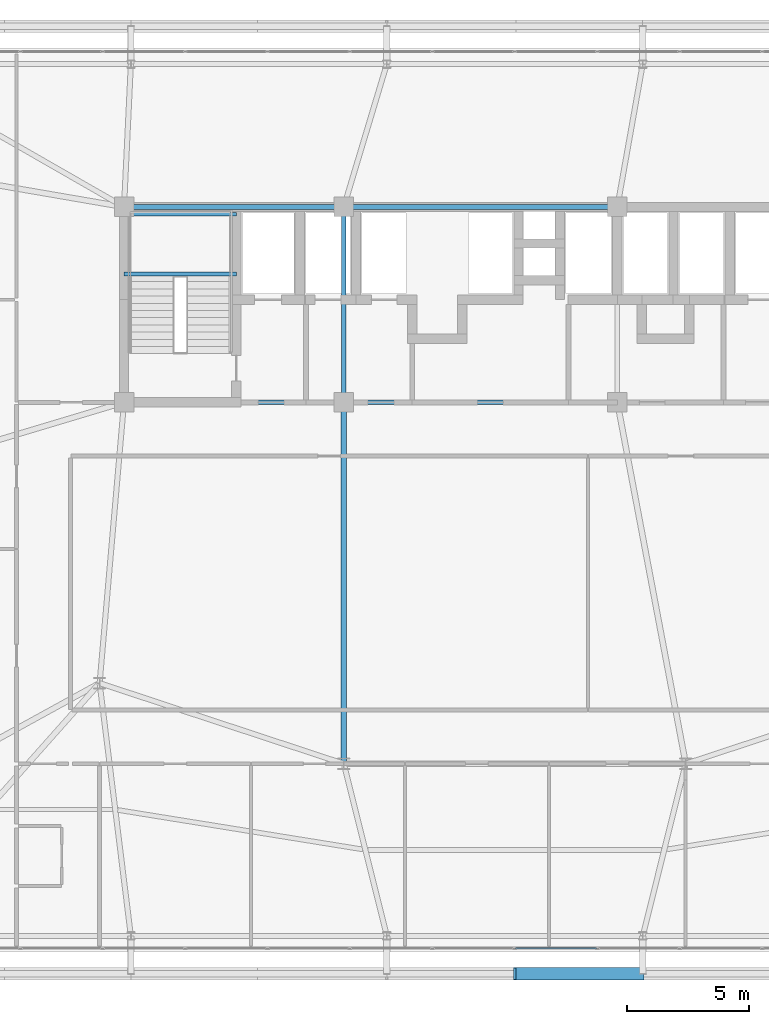
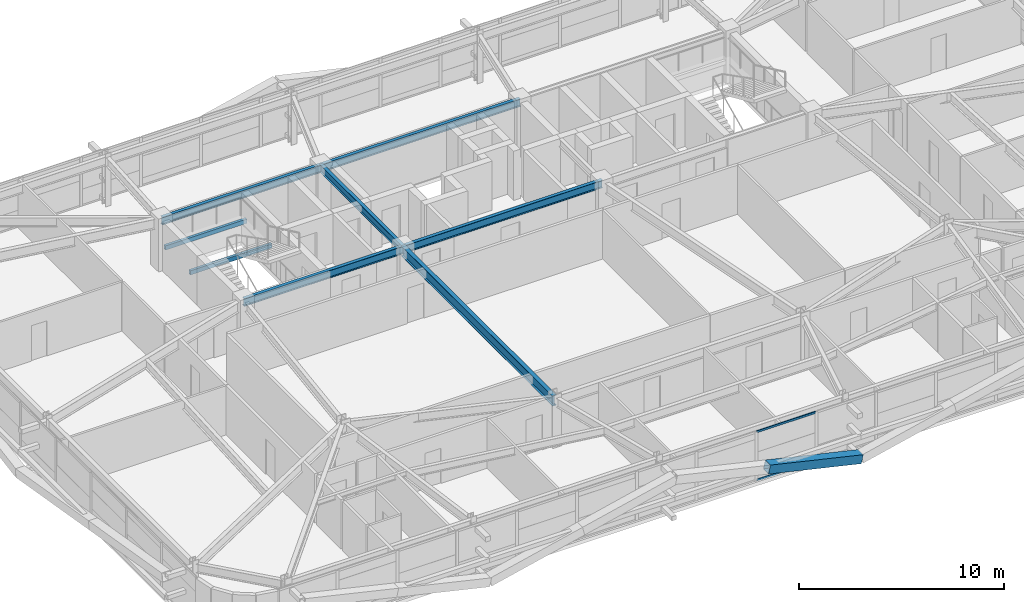
# One storey, part 19 of 58: 8 beams, 3 members, 1 element without a shape of its own.
"""IFC4 building model written with IfcOpenShell, lengths in metres."""

import ifcopenshell
import ifcopenshell.guid

model = None  # the IFC model being written
_history = None  # IfcOwnerHistory: only IFC2X3 demands one
_inside = {}  # id of a spatial element -> (the spatial element, [elements in it])
_under = {}  # id of a project, library or spatial element -> (it, [spatial elements below it])
_declared = {}  # id of a project -> (the project, [libraries it declares])
_typed = {}  # id of a type object -> (the type object, [elements of that type])
_made_of = {}  # id of a material, layer set ... -> (it, [elements and type objects made of it])


def new_model(schema):
    """Start an empty IFC model of exactly this schema.

    Asked for "IFC4X3", IfcOpenShell would pick the latest addendum, in which some entities
    have other attributes; the version numbers below select the first issue.
    IFC2X3 requires an IfcOwnerHistory on every rooted entity: one is made here for all.
    """
    global model, _history
    if schema == "IFC4X3":
        model = ifcopenshell.file(schema_version=(4, 3, 0, 0))
    else:
        model = ifcopenshell.file(schema=schema)
    _inside.clear()
    _under.clear()
    _declared.clear()
    _typed.clear()
    _made_of.clear()
    _history = None
    if model.schema == "IFC2X3":
        org = make("IfcOrganization", Name="unknown")
        user = make(
            "IfcPersonAndOrganization",
            ThePerson=make("IfcPerson", FamilyName="unknown"),
            TheOrganization=org,
        )
        app = make(
            "IfcApplication",
            ApplicationDeveloper=org,
            Version="unknown",
            ApplicationFullName="unknown",
            ApplicationIdentifier="unknown",
        )
        _history = make(
            "IfcOwnerHistory",
            OwningUser=user,
            OwningApplication=app,
            ChangeAction="ADDED",
            CreationDate=0,
        )
    return model


def make(cls, **values):
    """One entity of the class cls with the attributes given. An attribute that is None is left unset."""
    return model.create_entity(
        cls, **{name: value for name, value in values.items() if value is not None}
    )


def rooted(cls, **values):
    """An entity with a GlobalId (a new one), such as an element, a storey or a relation."""
    return make(cls, GlobalId=ifcopenshell.guid.new(), OwnerHistory=_history, **values)


def si_unit(unit_type, name, prefix=None):
    """IfcSIUnit, for example si_unit("LENGTHUNIT", "METRE", prefix="MILLI")."""
    return make("IfcSIUnit", UnitType=unit_type, Prefix=prefix, Name=name)


def assignment(units):
    """IfcUnitAssignment: the units of a project."""
    return None if units is None else make("IfcUnitAssignment", Units=units)


def point(xyz):
    """IfcCartesianPoint."""
    return None if xyz is None else make("IfcCartesianPoint", Coordinates=xyz)


def direction(xyz):
    """IfcDirection."""
    return None if xyz is None else make("IfcDirection", DirectionRatios=xyz)


def frame(location, z_axis=None, x_axis=None):
    """IfcAxis2Placement3D, a coordinate frame: its origin and axes. An axis left out is left unset."""
    return make(
        "IfcAxis2Placement3D",
        Location=point(location),
        Axis=direction(z_axis),
        RefDirection=direction(x_axis),
    )


def frame_2d(location, x_axis=None):
    """IfcAxis2Placement2D, a coordinate frame in the plane: its origin and x axis."""
    return make(
        "IfcAxis2Placement2D", Location=point(location), RefDirection=direction(x_axis)
    )


def origin():
    """The frame at (0, 0, 0) with its axes left unset."""
    return frame((0.0, 0.0, 0.0))


def origin_2d():
    """The frame at (0, 0) in the plane with its x axis left unset."""
    return frame_2d((0.0, 0.0))


def place(relative_to, where):
    """IfcLocalPlacement: puts the frame where relative to a parent placement (None: the world)."""
    return make(
        "IfcLocalPlacement", PlacementRelTo=relative_to, RelativePlacement=where
    )


def context(
    kind, dimensions, precision=None, world=None, true_north=None, identifier=None
):
    """IfcGeometricRepresentationContext, for example the 3D "Model" context."""
    return make(
        "IfcGeometricRepresentationContext",
        ContextIdentifier=identifier,
        ContextType=kind,
        CoordinateSpaceDimension=dimensions,
        Precision=precision,
        WorldCoordinateSystem=world,
        TrueNorth=true_north,
    )


def subcontext(parent, identifier, kind, view, scale=None):
    """IfcGeometricRepresentationSubContext, for example "Body" below "Model"."""
    return make(
        "IfcGeometricRepresentationSubContext",
        ContextIdentifier=identifier,
        ContextType=kind,
        ParentContext=parent,
        TargetScale=scale,
        TargetView=view,
    )


def project(units=None, contexts=None):
    """IfcProject with its units and contexts."""
    return rooted(
        "IfcProject",
        Name="project",
        RepresentationContexts=contexts,
        UnitsInContext=assignment(units),
    )


def spatial(cls, under=None, at=None, **own):
    """A site, building, storey or space (cls), placed at a placement, below another one or the project."""
    s = rooted(cls, ObjectPlacement=at, **own)
    if under is not None:
        _under.setdefault(under.id(), (under, []))[1].append(s)
    return s


def profile(cls, at=None, kind="AREA", **sizes):
    """A parametric profile (cls). Its sizes go by their IFC names, for example OverallWidth=200.0."""
    return make(cls, ProfileType=kind, Position=at, **sizes)


def hollow_rectangle(**sizes):
    """IfcRectangleHollowProfileDef."""
    return profile("IfcRectangleHollowProfileDef", **sizes)


def i_section(**sizes):
    """IfcIShapeProfileDef."""
    return profile("IfcIShapeProfileDef", **sizes)


def extrude(swept, where, along, depth):
    """IfcExtrudedAreaSolid: the profile swept, set in the frame where, extruded along a direction by depth."""
    return make(
        "IfcExtrudedAreaSolid",
        SweptArea=swept,
        Position=where,
        ExtrudedDirection=direction(along),
        Depth=depth,
    )


def shape(context_of_items, identifier, shape_type, items):
    """IfcShapeRepresentation: the items that make up one representation, for example the "Body"."""
    return make(
        "IfcShapeRepresentation",
        ContextOfItems=context_of_items,
        RepresentationIdentifier=identifier,
        RepresentationType=shape_type,
        Items=items,
    )


def source(mapping_origin, context_of_items, identifier, shape_type, items):
    """IfcRepresentationMap: a shape defined once, which mapped items show again and again."""
    return make(
        "IfcRepresentationMap",
        MappingOrigin=mapping_origin,
        MappedRepresentation=shape(context_of_items, identifier, shape_type, items),
    )


def transform(
    local_origin,
    x_axis=None,
    y_axis=None,
    z_axis=None,
    scale=None,
    scale2=None,
    scale3=None,
    uniform=True,
):
    """IfcCartesianTransformationOperator3D, or its non-uniform kind. x_axis, y_axis, z_axis: its Axis1, 2, 3."""
    if uniform:
        return make(
            "IfcCartesianTransformationOperator3D",
            Axis1=direction(x_axis),
            Axis2=direction(y_axis),
            LocalOrigin=point(local_origin),
            Scale=scale,
            Axis3=direction(z_axis),
        )
    return make(
        "IfcCartesianTransformationOperator3DnonUniform",
        Axis1=direction(x_axis),
        Axis2=direction(y_axis),
        LocalOrigin=point(local_origin),
        Scale=scale,
        Axis3=direction(z_axis),
        Scale2=scale2,
        Scale3=scale3,
    )


def mapped(mapping_source, mapping_target):
    """IfcMappedItem: shows the shape of a source again, moved by a transform."""
    return make(
        "IfcMappedItem", MappingSource=mapping_source, MappingTarget=mapping_target
    )


def material(Name=None, Category=None):
    """IfcMaterial."""
    return make("IfcMaterial", Name=Name, Category=Category)


def layer(
    of_material, thickness, ventilated=None, Name=None, Category=None, Priority=None
):
    """IfcMaterialLayer: one layer of a wall or slab, of a material (None: an air gap)."""
    return make(
        "IfcMaterialLayer",
        Material=of_material,
        LayerThickness=thickness,
        IsVentilated=ventilated,
        Name=Name,
        Category=Category,
        Priority=Priority,
    )


def layer_set(layers, Name=None):
    """IfcMaterialLayerSet."""
    return make("IfcMaterialLayerSet", MaterialLayers=layers, LayerSetName=Name)


def material_profile(
    of_material, cross_section, Name=None, Category=None, Priority=None
):
    """IfcMaterialProfile: a cross section and its material."""
    return make(
        "IfcMaterialProfile",
        Name=Name,
        Material=of_material,
        Profile=cross_section,
        Priority=Priority,
        Category=Category,
    )


def profile_set(profiles, Name=None, composite=None):
    """IfcMaterialProfileSet."""
    return make(
        "IfcMaterialProfileSet",
        Name=Name,
        MaterialProfiles=profiles,
        CompositeProfile=composite,
    )


def made_of(thing, what):
    """Note that an element or type object is made of a material, layer set ...; save() writes the relation."""
    if what is not None:
        _made_of.setdefault(what.id(), (what, []))[1].append(thing)
    return thing


def type_object(cls, material=None, **own):
    """A type object (cls), such as IfcWallType, which elements share."""
    return made_of(rooted(cls, **own), material)


def element(
    cls,
    number,
    at=None,
    inside=None,
    cuts=None,
    type_object=None,
    material=None,
    context=None,
    identifier="Body",
    shape_type=None,
    held_by="IfcProductDefinitionShape",
    body=None,
    shapes=None,
    **own,
):
    """One element of the class cls, such as IfcWall. Its Tag is "e" and its number.

    at: its placement. inside: the storey or other place that contains it. cuts: it is an
    opening in that element (IfcRelVoidsElement). A single representation is given by context,
    identifier, shape_type and body (its items); several are given by shapes. held_by: the class
    of the entity that holds the representations. save() writes the other relations.
    """
    e = rooted(cls, Tag="e%d" % number, ObjectPlacement=at, **own)
    if body is not None:
        shapes = [shape(context, identifier, shape_type, body)]
    if shapes is not None:
        e.Representation = make(held_by, Representations=shapes)
    if inside is not None:
        _inside.setdefault(inside.id(), (inside, []))[1].append(e)
    if cuts is not None:
        rooted(
            "IfcRelVoidsElement", RelatingBuildingElement=cuts, RelatedOpeningElement=e
        )
    if type_object is not None:
        _typed.setdefault(type_object.id(), (type_object, []))[1].append(e)
    return made_of(e, material)


def aggregate(whole, parts):
    """IfcRelAggregates: a whole, such as a stair, and the parts it consists of."""
    return rooted("IfcRelAggregates", RelatingObject=whole, RelatedObjects=parts)


def save(model, path):
    """Write the relations noted so far, then the file.

    IfcRelAggregates (storeys below a building ...), IfcRelContainedInSpatialStructure (elements
    in a storey), IfcRelDefinesByType, IfcRelAssociatesMaterial and IfcRelDeclares: one each for
    every whole, place, type object, material and project.
    """
    for whole, parts in _under.values():
        aggregate(whole, parts)
    for where, things in _inside.values():
        rooted(
            "IfcRelContainedInSpatialStructure",
            RelatedElements=things,
            RelatingStructure=where,
        )
    for kind, things in _typed.values():
        rooted("IfcRelDefinesByType", RelatedObjects=things, RelatingType=kind)
    for what, things in _made_of.values():
        rooted("IfcRelAssociatesMaterial", RelatedObjects=things, RelatingMaterial=what)
    for by, libraries in _declared.values():
        rooted("IfcRelDeclares", RelatingContext=by, RelatedDefinitions=libraries)
    model.write(path)


model = new_model("IFC4")

# Units and contexts
model_context = context("Model", 3, precision=1e-05, world=origin(), true_north=direction((0.0, 1.0)))
body_context = subcontext(model_context, "Body", "Model", "MODEL_VIEW")
ifc_project = project(units=[si_unit("LENGTHUNIT", "METRE"), si_unit("AREAUNIT", "SQUARE_METRE"), si_unit("VOLUMEUNIT", "CUBIC_METRE"), si_unit("PLANEANGLEUNIT", "RADIAN"), si_unit("MASSUNIT", "GRAM", prefix="KILO")], contexts=[model_context])

# Site, building, storey
site_placement = place(None, origin())
site = spatial("IfcSite", under=ifc_project, at=site_placement, CompositionType="ELEMENT")
building_placement = place(site_placement, origin())
building = spatial("IfcBuilding", under=site, at=building_placement, Name="Taldren Reach Tower", CompositionType="ELEMENT")
storey_placement = place(building_placement, frame((0.0, 0.0, 51.449951171875)))
storey = spatial("IfcBuildingStorey", under=building, at=storey_placement, Name="L15", CompositionType="ELEMENT", Elevation=51.449951171875)

# Beams
ifc_material_1 = material(Name="Steel Gr 350 (350PLUS)", Category="steel")
ifc_material_profile_1 = material_profile(ifc_material_1, i_section(OverallWidth=0.19091796875, OverallDepth=0.4599609375, WebThickness=0.010009765625, FlangeThickness=0.01611328125, at=origin_2d()), Name="460UB82.1")
ifc_profile_set_1 = profile_set([ifc_material_profile_1], Name="Steel Gr 350 (350PLUS)")
beam_type_1 = type_object("IfcBeamType", Name="BM-UB460A", PredefinedType="BEAM", material=ifc_profile_set_1)
shared_shape_1 = source(origin(), body_context, "Body", "SweptSolid", [
    extrude(i_section(OverallWidth=0.19091796875, OverallDepth=0.4599609375, WebThickness=0.010009765625, FlangeThickness=0.01611328125, at=origin_2d()), origin(), (0.0, 0.0, 1.0), 9.0),
])
for number, where, z_axis, x_axis, name in (
    (1, (19.0, 24.0, 2.699951171875), (1.0, 0.0, 0.0), (0.0, 1.0, 0.0), "Core-spine girder L15-SP01"),
    (2, (19.0, 32.0, 2.699951171875), (1.0, 0.0, 0.0), (0.0, 1.0, 0.0), "Core-spine girder L15-SP04"),
):
    element("IfcBeam", number, at=place(storey_placement, frame(where, z_axis=z_axis, x_axis=x_axis)), inside=storey, type_object=beam_type_1, Name=name, PredefinedType="BEAM", context=body_context, shape_type="MappedRepresentation", body=[
        mapped(shared_shape_1, transform((0.0, 0.0, 0.0), scale=1.0)),
    ])
shared_shape_2 = source(origin(), body_context, "Body", "SweptSolid", [
    extrude(i_section(OverallWidth=0.19091796875, OverallDepth=0.4599609375, WebThickness=0.010009765625, FlangeThickness=0.01611328125, at=origin_2d()), origin(), (0.0, 0.0, 1.0), 11.199951171875),
])
for number, where, z_axis, x_axis, name in (
    (3, (28.0, 24.0, 2.699951171875), (1.0, 0.0, 0.0), (0.0, 1.0, 0.0), "Core-spine girder L15-SP02"),
    (4, (28.0, 32.0, 2.699951171875), (1.0, 0.0, 0.0), (0.0, 1.0, 0.0), "Core-spine girder L15-SP05"),
):
    element("IfcBeam", number, at=place(storey_placement, frame(where, z_axis=z_axis, x_axis=x_axis)), inside=storey, type_object=beam_type_1, Name=name, PredefinedType="BEAM", context=body_context, shape_type="MappedRepresentation", body=[
        mapped(shared_shape_2, transform((0.0, 0.0, 0.0), scale=1.0)),
    ])
shared_shape_3 = source(origin(), body_context, "Body", "SweptSolid", [
    extrude(i_section(OverallWidth=0.19091796875, OverallDepth=0.4599609375, WebThickness=0.010009765625, FlangeThickness=0.01611328125, at=origin_2d()), origin(), (0.0, 0.0, 1.0), 8.0),
])
beam_1_placement = place(storey_placement, frame((28.0, 24.0, 2.699951171875), z_axis=(0.0, 1.0, 0.0), x_axis=(-1.0, 0.0, 0.0)))
element("IfcBeam", 5, at=beam_1_placement, inside=storey, type_object=beam_type_1, Name="Core-spine girder L15-SP07", PredefinedType="BEAM", context=body_context, shape_type="MappedRepresentation", body=[
    mapped(shared_shape_3, transform((0.0, 0.0, 0.0), scale=1.0)),
])
ifc_material_profile_2 = material_profile(ifc_material_1, i_section(OverallWidth=0.22802734375, OverallDepth=0.60205078125, WebThickness=0.010498046875, FlangeThickness=0.014892578125, at=origin_2d()), Name="610UB101")
ifc_profile_set_2 = profile_set([ifc_material_profile_2], Name="Steel Gr 350 (350PLUS)")
beam_type_2 = type_object("IfcBeamType", Name="BM-UB610B", PredefinedType="BEAM", material=ifc_profile_set_2)
shared_shape_4 = source(origin(), body_context, "Body", "SweptSolid", [
    extrude(i_section(OverallWidth=0.22802734375, OverallDepth=0.60205078125, WebThickness=0.010498046875, FlangeThickness=0.014892578125, at=origin_2d()), origin(), (0.0, 0.0, 1.0), 14.800048828125),
])
beam_2_placement = place(storey_placement, frame((28.0, 24.0, 2.629150390625), z_axis=(0.0, -1.0, 0.0), x_axis=(1.0, 0.0, 0.0)))
element("IfcBeam", 6, at=beam_2_placement, inside=storey, type_object=beam_type_2, Name="Core-spine girder L15-SP14", PredefinedType="BEAM", context=body_context, shape_type="MappedRepresentation", body=[
    mapped(shared_shape_4, transform((0.0, 0.0, 0.0), scale=1.0)),
])

# Member
ifc_material_2 = material(Name="Steel Gr 450 (C450L0)", Category="steel")
ifc_material_profile_3 = material_profile(ifc_material_2, hollow_rectangle(XDim=0.510009765625, YDim=0.510009765625, WallThickness=0.02001953125, at=origin_2d()), Name="510x510x20.0SHS")
ifc_profile_set_3 = profile_set([ifc_material_profile_3], Name="Steel Gr 450 (C450L0)")
member_type_1 = type_object("IfcMemberType", Name="MB-EXO508", PredefinedType="BRACE", material=ifc_profile_set_3)
shared_shape_5 = source(origin(), body_context, "Body", "SweptSolid", [
    extrude(hollow_rectangle(XDim=0.510009765625, YDim=0.510009765625, WallThickness=0.02001953125, at=origin_2d()), origin(), (0.0, 0.0, 1.0), 5.37890625),
])
member_1_placement = place(storey_placement, frame((40.239990234375, 0.60009765625, 0.219970703125), z_axis=(-0.97415197996, 0.0, 0.225893603143), x_axis=(0.0, -1.0, 0.0)))
element("IfcMember", 7, at=member_1_placement, inside=storey, type_object=member_type_1, Name="Exoskeleton Diagrid Brace B1-S3 L15", PredefinedType="BRACE", context=body_context, shape_type="MappedRepresentation", body=[
    mapped(shared_shape_5, transform((0.0, 0.0, 0.0), scale=1.0)),
])

# Curtain wall, members
ifc_material_3 = material(Name="Aluminium and Low-E Glass Unitised System", Category="aluminium")
ifc_layer = layer(ifc_material_3, 0.159912109375)
ifc_layer_set = layer_set([ifc_layer], Name="Aluminium and Low-E Glass Unitised System")
curtain_wall_type = type_object("IfcCurtainWallType", Name="CW-SYS-2", PredefinedType="NOTDEFINED", material=ifc_layer_set)
curtain_wall_placement = place(storey_placement, origin())
curtain_wall = element("IfcCurtainWall", 8, at=curtain_wall_placement, inside=storey, type_object=curtain_wall_type, Name="Unitised curtain wall CW-L15-S", PredefinedType="NOTDEFINED")
ifc_material_4 = material(Name="Anodised Aluminium 6063-T6", Category="aluminium")
ifc_material_profile_4 = material_profile(ifc_material_4, hollow_rectangle(XDim=0.054931640625, YDim=0.1201171875, WallThickness=0.0029296875, at=origin_2d()), Name="ALU-120x55x3RHS")
ifc_profile_set_4 = profile_set([ifc_material_profile_4], Name="Anodised Aluminium 6063-T6")
member_type_2 = type_object("IfcMemberType", Name="CW-TRN-135", PredefinedType="USERDEFINED", material=ifc_profile_set_4)
shared_shape_6 = source(origin(), body_context, "Body", "SweptSolid", [
    extrude(hollow_rectangle(XDim=0.054931640625, YDim=0.1201171875, WallThickness=0.0029296875, at=origin_2d()), origin(), (0.0, 0.0, 1.0), 3.31005859375),
])
member_2_placement = place(storey_placement, frame((35.032470703125, 1.639892578125, 0.027587890625), z_axis=(1.0, 0.0, 0.0), x_axis=(0.0, 1.0, 0.0)))
member_2 = element("IfcMember", 9, at=member_2_placement, type_object=member_type_2, Name="CW-2 transom 9.1", ObjectType="TRANSOM", PredefinedType="USERDEFINED", context=body_context, shape_type="MappedRepresentation", body=[
    mapped(shared_shape_6, transform((0.0, 0.0, 0.0), scale=1.0)),
])
member_3_placement = place(storey_placement, frame((35.032470703125, 1.639892578125, 2.902587890625), z_axis=(1.0, 0.0, 0.0), x_axis=(0.0, 1.0, 0.0)))
member_3 = element("IfcMember", 10, at=member_3_placement, type_object=member_type_2, Name="CW-2 transom 9.2", ObjectType="TRANSOM", PredefinedType="USERDEFINED", context=body_context, shape_type="MappedRepresentation", body=[
    mapped(shared_shape_6, transform((0.0, 0.0, 0.0), scale=1.0)),
])
aggregate(curtain_wall, [member_2, member_3])

# Beams
ifc_material_5 = material(Name="Steel Gr 350 (C350L0)", Category="steel")
ifc_material_profile_5 = material_profile(ifc_material_5, hollow_rectangle(XDim=0.14990234375, YDim=0.25, WallThickness=0.009033203125, at=origin_2d()), Name="250x150x9.0RHS")
ifc_profile_set_5 = profile_set([ifc_material_profile_5], Name="Steel Gr 350 (C350L0)")
beam_type_3 = type_object("IfcBeamType", Name="LN-RHS250", PredefinedType="LINTEL", material=ifc_profile_set_5)
shared_shape_7 = source(origin(), body_context, "Body", "SweptSolid", [
    extrude(hollow_rectangle(XDim=0.14990234375, YDim=0.25, WallThickness=0.009033203125, at=origin_2d()), origin(), (0.0, 0.0, 1.0), 4.60009765625),
])
for number, where, z_axis, x_axis, name in (
    (11, (19.0, 29.2548828125, 1.27001953125), (1.0, 0.0, 0.0), (0.0, 1.0, 0.0), "Stair half-landing support beam ST1-L15-1"),
    (12, (19.0, 31.699951171875, 1.27001953125), (1.0, 0.0, 0.0), (0.0, 1.0, 0.0), "Stair half-landing support beam ST1-L15-2"),
):
    element("IfcBeam", number, at=place(storey_placement, frame(where, z_axis=z_axis, x_axis=x_axis)), inside=storey, type_object=beam_type_3, Name=name, PredefinedType="LINTEL", context=body_context, shape_type="MappedRepresentation", body=[
        mapped(shared_shape_7, transform((0.0, 0.0, 0.0), scale=1.0)),
    ])

save(model, "model.ifc")
